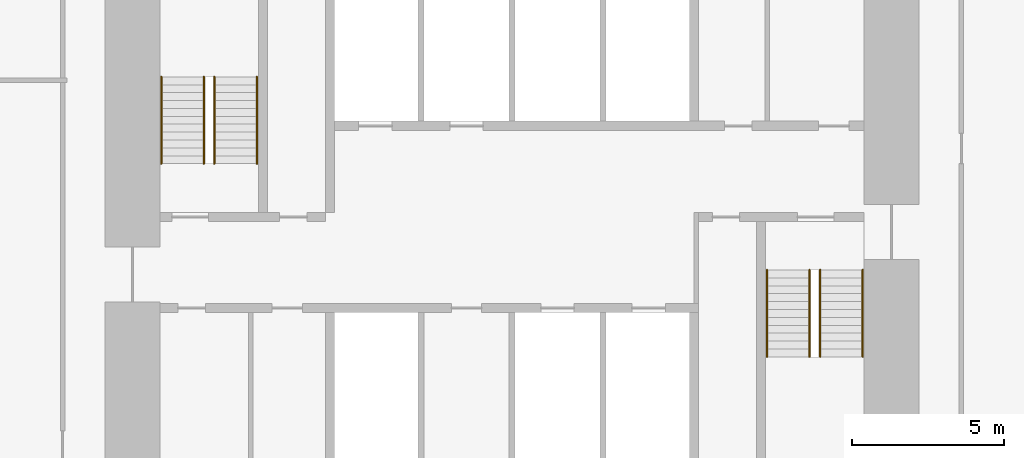
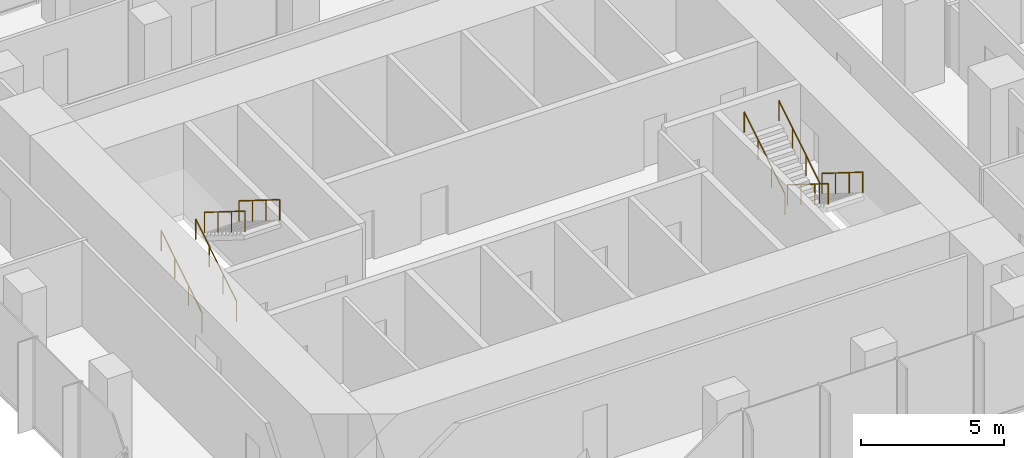
# One storey, part 11 of 11: 8 railings.
"""IFC4 building model written with IfcOpenShell, lengths in metres."""

from ifc_helpers import new_model, si_unit, direction, frame, origin, origin_2d, place, context, subcontext, project, spatial, circle, extrude, material, type_object, element, save


model = new_model("IFC4")

# Units and contexts
model_context = context("Model", 3, precision=1e-05, world=origin(), true_north=direction((0.0, 1.0)))
body_context = subcontext(model_context, "Body", "Model", "MODEL_VIEW")
ifc_project = project(units=[si_unit("LENGTHUNIT", "METRE"), si_unit("AREAUNIT", "SQUARE_METRE"), si_unit("VOLUMEUNIT", "CUBIC_METRE"), si_unit("PLANEANGLEUNIT", "RADIAN"), si_unit("MASSUNIT", "GRAM", prefix="KILO")], contexts=[model_context])

# Site, building, storey
site_placement = place(None, origin())
site = spatial("IfcSite", under=ifc_project, at=site_placement, CompositionType="ELEMENT")
building_placement = place(site_placement, origin())
building = spatial("IfcBuilding", under=site, at=building_placement, Name="Highveld Stack Headquarters", CompositionType="ELEMENT")
storey_placement = place(building_placement, frame((0.0, 0.0, 260.60009765625)))
storey = spatial("IfcBuildingStorey", under=building, at=storey_placement, Name="L64", CompositionType="ELEMENT", Elevation=260.60009765625)

# Railings
ifc_material = material(Name="Stainless steel handrail", Category="steel")
railing_type = type_object("IfcRailingType", Name="STAIR HANDRAIL HR1 900", PredefinedType="HANDRAIL", material=ifc_material)
for number, where, name in (
    (1, (-5.550048828125, 4.75, 0.162353515625), "Handrail S1 L64 flight 1"),
    (2, (-4.14990234375, 4.75, 0.162353515625), "Handrail S1 L64 flight 1"),
):
    element("IfcRailing", number, at=place(storey_placement, frame(where)), inside=storey, type_object=railing_type, Name=name, PredefinedType="HANDRAIL", context=body_context, shape_type="SweptSolid", body=[
        extrude(circle(Radius=0.02392578125, at=origin_2d()), frame((0.0, 0.0, 0.8759765625), z_axis=(0.0, 0.847994237388, 0.530005446535), x_axis=(-1.0, 0.0, 0.0)), (0.0, 0.0, 1.0), 3.372802734375),
        extrude(circle(Radius=0.02099609375, at=origin_2d()), origin(), (0.0, 0.0, 1.0), 0.851806640625),
        extrude(circle(Radius=0.02099609375, at=origin_2d()), frame((0.0, 0.953369140625, 0.595947265625)), (0.0, 0.0, 1.0), 0.851806640625),
        extrude(circle(Radius=0.02099609375, at=origin_2d()), frame((0.0, 1.90673828125, 1.191650390625)), (0.0, 0.0, 1.0), 0.851806640625),
        extrude(circle(Radius=0.02099609375, at=origin_2d()), frame((0.0, 2.860107421875, 1.78759765625)), (0.0, 0.0, 1.0), 0.851806640625),
    ])
for number, where, name in (
    (3, (-3.800048828125, 7.610107421875, 2.1123046875), "Handrail S1 L64 flight 2"),
    (4, (-2.39990234375, 7.610107421875, 2.1123046875), "Handrail S1 L64 flight 2"),
    (5, (16.14990234375, 1.25, 0.162353515625), "Handrail S2 L64 flight 1"),
    (6, (17.550048828125, 1.25, 0.162353515625), "Handrail S2 L64 flight 1"),
):
    element("IfcRailing", number, at=place(storey_placement, frame(where)), inside=storey, type_object=railing_type, Name=name, PredefinedType="HANDRAIL", context=body_context, shape_type="SweptSolid", body=[
        extrude(circle(Radius=0.02392578125, at=origin_2d()), frame((0.0, 0.0, 0.8759765625), z_axis=(0.0, -0.847994237388, 0.530005446535), x_axis=(1.0, 0.0, 0.0)), (0.0, 0.0, 1.0), 3.372802734375),
        extrude(circle(Radius=0.02099609375, at=origin_2d()), origin(), (0.0, 0.0, 1.0), 0.851806640625),
        extrude(circle(Radius=0.02099609375, at=origin_2d()), frame((0.0, -0.953369140625, 0.595947265625)), (0.0, 0.0, 1.0), 0.851806640625),
        extrude(circle(Radius=0.02099609375, at=origin_2d()), frame((0.0, -1.90673828125, 1.191650390625)), (0.0, 0.0, 1.0), 0.851806640625),
        extrude(circle(Radius=0.02099609375, at=origin_2d()), frame((0.0, -2.860107421875, 1.78759765625)), (0.0, 0.0, 1.0), 0.851806640625),
    ])
for number, where, name in (
    (7, (14.39990234375, -1.610107421875, 2.1123046875), "Handrail S2 L64 flight 2"),
    (8, (15.800048828125, -1.610107421875, 2.1123046875), "Handrail S2 L64 flight 2"),
):
    element("IfcRailing", number, at=place(storey_placement, frame(where)), inside=storey, type_object=railing_type, Name=name, PredefinedType="HANDRAIL", context=body_context, shape_type="SweptSolid", body=[
        extrude(circle(Radius=0.02392578125, at=origin_2d()), frame((0.0, 0.0, 0.8759765625), z_axis=(0.0, 0.847994237388, 0.530005446535), x_axis=(-1.0, 0.0, 0.0)), (0.0, 0.0, 1.0), 3.372802734375),
        extrude(circle(Radius=0.02099609375, at=origin_2d()), origin(), (0.0, 0.0, 1.0), 0.851806640625),
        extrude(circle(Radius=0.02099609375, at=origin_2d()), frame((0.0, 0.953369140625, 0.595947265625)), (0.0, 0.0, 1.0), 0.851806640625),
        extrude(circle(Radius=0.02099609375, at=origin_2d()), frame((0.0, 1.90673828125, 1.191650390625)), (0.0, 0.0, 1.0), 0.851806640625),
        extrude(circle(Radius=0.02099609375, at=origin_2d()), frame((0.0, 2.860107421875, 1.78759765625)), (0.0, 0.0, 1.0), 0.851806640625),
    ])

save(model, "model.ifc")
